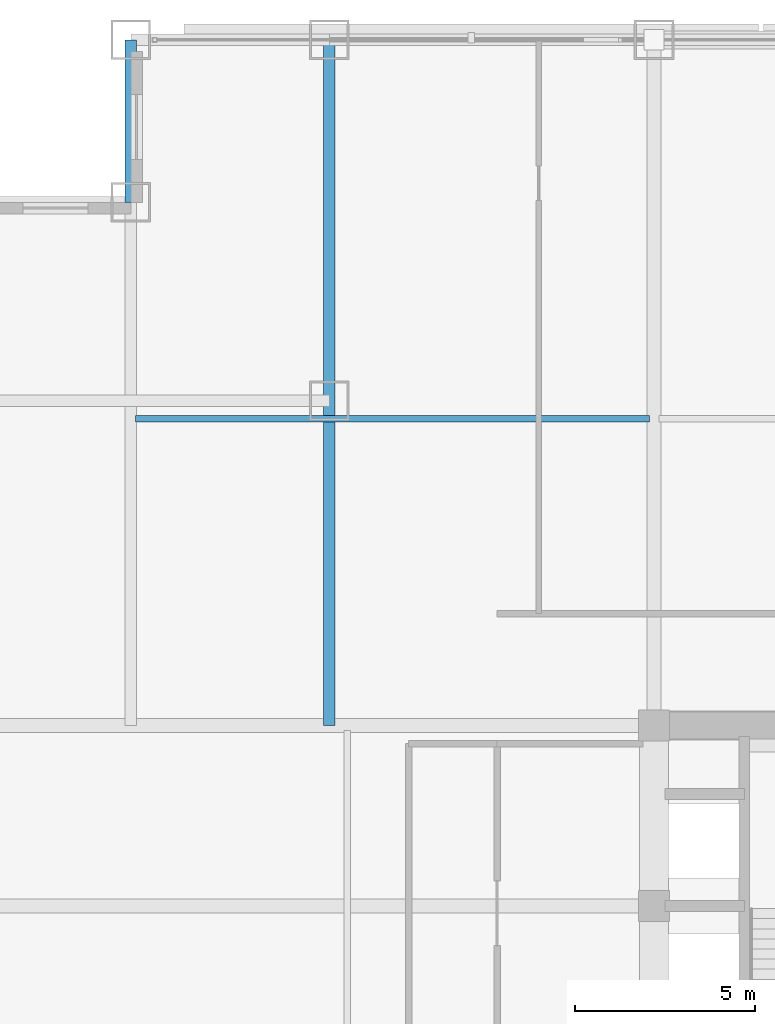
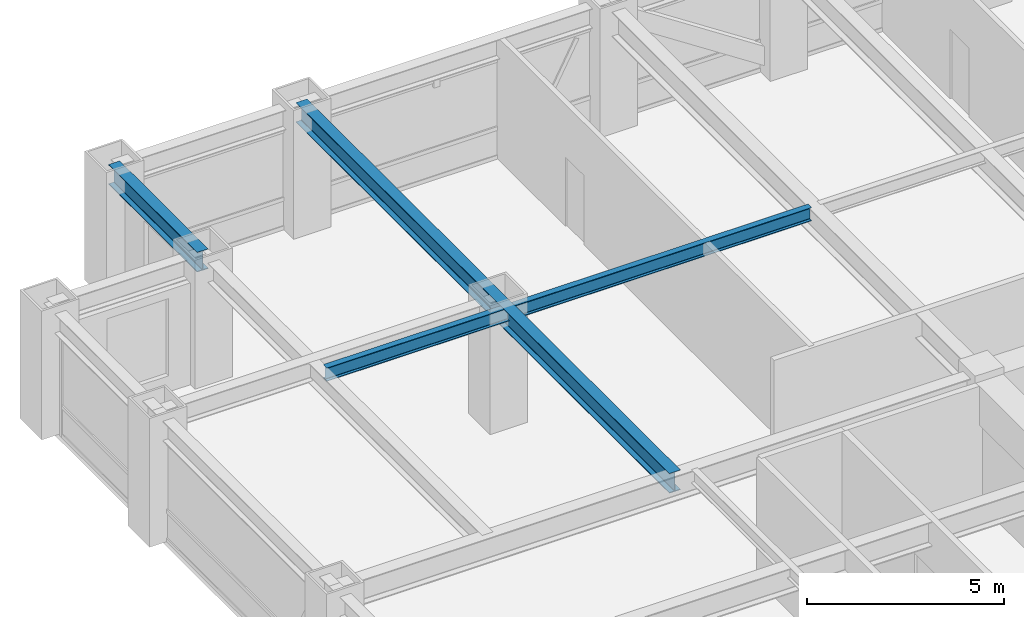
# One storey, part 13 of 28: 3 beams.
"""IFC4 building model written with IfcOpenShell, lengths in metres."""

from ifc_helpers import new_model, si_unit, direction, frame, origin, origin_2d, place, context, subcontext, project, spatial, i_section, extrude, source, transform, mapped, material, material_profile, profile_set, type_object, element, save


model = new_model("IFC4")

# Units and contexts
model_context = context("Model", 3, precision=1e-05, world=origin(), true_north=direction((0.0, 1.0)))
body_context = subcontext(model_context, "Body", "Model", "MODEL_VIEW")
ifc_project = project(units=[si_unit("LENGTHUNIT", "METRE"), si_unit("AREAUNIT", "SQUARE_METRE"), si_unit("VOLUMEUNIT", "CUBIC_METRE"), si_unit("PLANEANGLEUNIT", "RADIAN"), si_unit("MASSUNIT", "GRAM", prefix="KILO")], contexts=[model_context])

# Site, building, storey
site_placement = place(None, origin())
site = spatial("IfcSite", under=ifc_project, at=site_placement, CompositionType="ELEMENT")
building_placement = place(site_placement, origin())
building = spatial("IfcBuilding", under=site, at=building_placement, Name="Khorayat Bourse Tower", CompositionType="ELEMENT")
storey_placement = place(building_placement, frame((0.0, 0.0, 183.10009765625)))
storey = spatial("IfcBuildingStorey", under=building, at=storey_placement, Name="L42", CompositionType="ELEMENT", Elevation=183.10009765625)

# Beams
ifc_material = material(Name="Steel ASTM A992 Grade 50", Category="steel")
ifc_material_profile_1 = material_profile(ifc_material, i_section(OverallWidth=0.324951171875, OverallDepth=0.615966796875, WebThickness=0.013916015625, FlangeThickness=0.021484375, FilletRadius=0.01611328125, at=origin_2d()), Name="W610X174")
ifc_profile_set_1 = profile_set([ifc_material_profile_1], Name="Steel ASTM A992 Grade 50")
beam_type_1 = type_object("IfcBeamType", Name="BM-GIRD-610", PredefinedType="BEAM", material=ifc_profile_set_1)
shared_shape_1 = source(origin(), body_context, "Body", "SweptSolid", [
    extrude(i_section(OverallWidth=0.324951171875, OverallDepth=0.615966796875, WebThickness=0.013916015625, FlangeThickness=0.021484375, FilletRadius=0.01611328125, at=origin_2d()), origin(), (0.0, 0.0, 1.0), 19.0),
])
beam_1_placement = place(storey_placement, frame((-20.0, 11.0, 3.471923828125), z_axis=(0.0, 1.0, 0.0), x_axis=(-1.0, 0.0, 0.0)))
element("IfcBeam", 1, at=beam_1_placement, inside=storey, type_object=beam_type_1, Name="L42 BM-GIRD-610 BM-L42-CNRY-085", PredefinedType="BEAM", context=body_context, shape_type="MappedRepresentation", body=[
    mapped(shared_shape_1, transform((0.0, 0.0, 0.0), scale=1.0)),
])
ifc_material_profile_2 = material_profile(ifc_material, i_section(OverallWidth=0.180908203125, OverallDepth=0.4169921875, WebThickness=0.010986328125, FlangeThickness=0.018310546875, FilletRadius=0.011962890625, at=origin_2d()), Name="W410X85")
ifc_profile_set_2 = profile_set([ifc_material_profile_2], Name="Steel ASTM A992 Grade 50")
beam_type_2 = type_object("IfcBeamType", Name="BM-JOIST-410", PredefinedType="JOIST", material=ifc_profile_set_2)
shared_shape_2 = source(origin(), body_context, "Body", "SweptSolid", [
    extrude(i_section(OverallWidth=0.180908203125, OverallDepth=0.4169921875, WebThickness=0.010986328125, FlangeThickness=0.018310546875, FilletRadius=0.011962890625, at=origin_2d()), origin(), (0.0, 0.0, 1.0), 14.240234375),
])
beam_2_placement = place(storey_placement, frame((-25.3701171875, 19.5, 3.5712890625), z_axis=(1.0, 0.0, 0.0), x_axis=(0.0, 1.0, 0.0)))
element("IfcBeam", 2, at=beam_2_placement, inside=storey, type_object=beam_type_2, Name="L42 BM-JOIST-410 BM-L42-JSTX-099", PredefinedType="JOIST", context=body_context, shape_type="MappedRepresentation", body=[
    mapped(shared_shape_2, transform((0.0, 0.0, 0.0), scale=1.0)),
])
ifc_material_profile_3 = material_profile(ifc_material, i_section(OverallWidth=0.324951171875, OverallDepth=0.615966796875, WebThickness=0.013916015625, FlangeThickness=0.021484375, FilletRadius=0.01611328125, at=origin_2d()), Name="W610X174")
ifc_profile_set_3 = profile_set([ifc_material_profile_3], Name="Steel ASTM A992 Grade 50")
beam_type_3 = type_object("IfcBeamType", Name="BM-SPAN-610", PredefinedType="SPANDREL", material=ifc_profile_set_3)
shared_shape_3 = source(origin(), body_context, "Body", "SweptSolid", [
    extrude(i_section(OverallWidth=0.324951171875, OverallDepth=0.615966796875, WebThickness=0.013916015625, FlangeThickness=0.021484375, FilletRadius=0.01611328125, at=origin_2d()), origin(), (0.0, 0.0, 1.0), 4.5),
])
beam_3_placement = place(storey_placement, frame((-25.5, 25.5, 3.471923828125), z_axis=(0.0, 1.0, 0.0), x_axis=(-1.0, 0.0, 0.0)))
element("IfcBeam", 3, at=beam_3_placement, inside=storey, type_object=beam_type_3, Name="L42 BM-SPAN-610 BM-L42-SPN-052", PredefinedType="SPANDREL", context=body_context, shape_type="MappedRepresentation", body=[
    mapped(shared_shape_3, transform((0.0, 0.0, 0.0), scale=1.0)),
])

save(model, "model.ifc")
